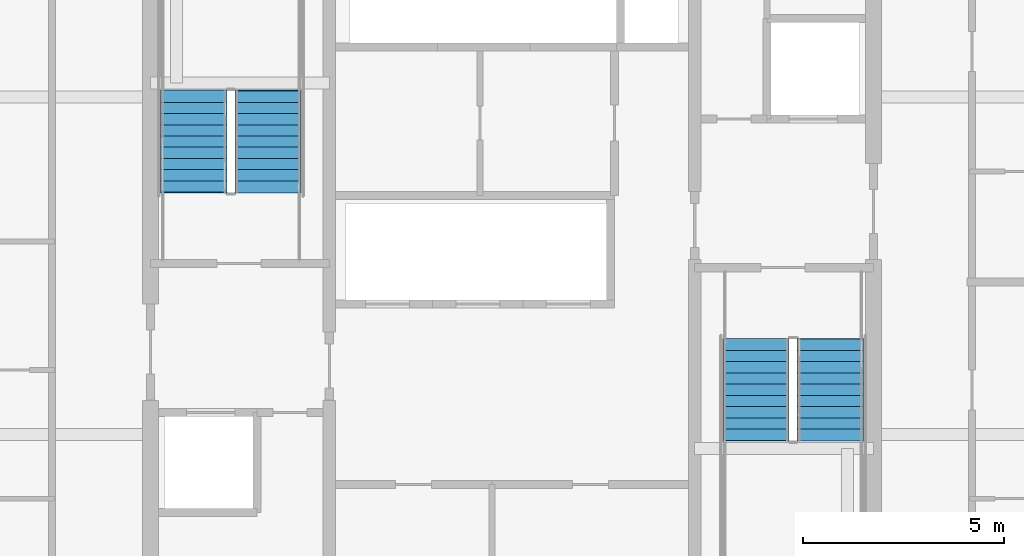
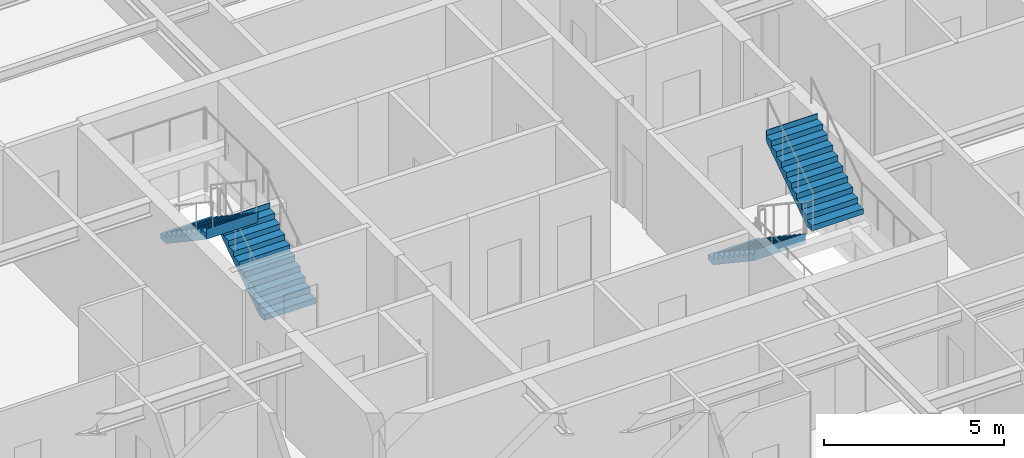
# One storey, part 29 of 34: 4 stair flights, 2 elements without a shape of their own.
"""IFC4 building model written with IfcOpenShell, lengths in metres."""

from ifc_helpers import new_model, si_unit, direction, frame, origin, place, context, subcontext, project, spatial, polygons, material, type_object, element, aggregate, save


model = new_model("IFC4")

# Units and contexts
model_context = context("Model", 3, precision=1e-05, world=origin(), true_north=direction((0.0, 1.0)))
body_context = subcontext(model_context, "Body", "Model", "MODEL_VIEW")
ifc_project = project(units=[si_unit("LENGTHUNIT", "METRE"), si_unit("AREAUNIT", "SQUARE_METRE"), si_unit("VOLUMEUNIT", "CUBIC_METRE"), si_unit("PLANEANGLEUNIT", "RADIAN"), si_unit("MASSUNIT", "GRAM", prefix="KILO")], contexts=[model_context])

# Site, building, storey
site_placement = place(None, origin())
site = spatial("IfcSite", under=ifc_project, at=site_placement, CompositionType="ELEMENT")
building_placement = place(site_placement, origin())
building = spatial("IfcBuilding", under=site, at=building_placement, Name="Serunith Strait Residences", CompositionType="ELEMENT")
storey_placement = place(building_placement, frame((0.0, 0.0, 187.64990234375)))
storey = spatial("IfcBuildingStorey", under=building, at=storey_placement, Name="L47", CompositionType="ELEMENT", Elevation=187.64990234375)

# Stair, stair flights
ifc_material = material(Name="Concrete C50/60", Category="concrete")
stair_type_1 = type_object("IfcStairType", Name="STR-CORE-1", PredefinedType="HALF_TURN_STAIR", material=ifc_material)
stair_1_placement = place(storey_placement, origin())
stair_1 = element("IfcStair", 1, at=stair_1_placement, inside=storey, type_object=stair_type_1, Name="L47 Protected Escape Stair ST-1", PredefinedType="HALF_TURN_STAIR")
stair_flight_type_1 = type_object("IfcStairFlightType", Name="FLT-CORE-1", PredefinedType="STRAIGHT", material=ifc_material)
stair_flight_1_placement = place(storey_placement, frame((26.324951171875, 27.030029296875, 0.0), z_axis=(0.0, 0.0, 1.0), x_axis=(0.0, 1.0, 0.0)))
stair_flight_1 = element("IfcStairFlight", 2, at=stair_flight_1_placement, type_object=stair_flight_type_1, Name="ST-1 flight 1", NumberOfRisers=10, NumberOfTreads=9, PredefinedType="STRAIGHT", RiserHeight=0.1875, TreadLength=0.28, context=body_context, shape_type="Tessellation", body=[
    polygons([(-0.02001953125, -0.824951171875, 0.0), (-0.02001953125, -0.824951171875, 0.1875), (0.280029296875, -0.824951171875, 0.1875), (0.280029296875, -0.824951171875, 0.375), (0.56005859375, -0.824951171875, 0.375), (0.56005859375, -0.824951171875, 0.5625), (0.840087890625, -0.824951171875, 0.5625), (0.840087890625, -0.824951171875, 0.75), (1.1201171875, -0.824951171875, 0.75), (1.1201171875, -0.824951171875, 0.9375), (1.39990234375, -0.824951171875, 0.9375), (1.39990234375, -0.824951171875, 1.125), (1.679931640625, -0.824951171875, 1.125), (1.679931640625, -0.824951171875, 1.3125), (1.9599609375, -0.824951171875, 1.3125), (1.9599609375, -0.824951171875, 1.5), (2.239990234375, -0.824951171875, 1.5), (2.239990234375, -0.824951171875, 1.6875), (2.52001953125, -0.824951171875, 1.6875), (2.52001953125, -0.824951171875, 1.875), (2.5400390625, -0.824951171875, 1.875), (2.5400390625, -0.824951171875, 1.81494140625), (2.52001953125, -0.824951171875, 1.507080078125), (0.26953125, -0.824951171875, 0.0), (-0.02001953125, -0.41259765625, 0.0), (-0.02001953125, -0.41259765625, 0.1875), (0.280029296875, -0.41259765625, 0.1875), (0.280029296875, -0.41259765625, 0.375), (0.56005859375, -0.41259765625, 0.375), (0.56005859375, -0.41259765625, 0.5625), (0.840087890625, -0.41259765625, 0.5625), (0.840087890625, -0.41259765625, 0.75), (1.1201171875, -0.41259765625, 0.75), (1.1201171875, -0.41259765625, 0.9375), (1.39990234375, -0.41259765625, 0.9375), (1.39990234375, -0.41259765625, 1.125), (1.679931640625, -0.41259765625, 1.125), (1.679931640625, -0.41259765625, 1.3125), (1.9599609375, -0.41259765625, 1.3125), (1.9599609375, -0.41259765625, 1.5), (2.239990234375, -0.41259765625, 1.5), (2.239990234375, -0.41259765625, 1.6875), (2.52001953125, -0.41259765625, 1.6875), (2.52001953125, -0.41259765625, 1.875), (2.5400390625, -0.41259765625, 1.875), (2.5400390625, -0.41259765625, 1.81494140625), (2.52001953125, -0.41259765625, 1.507080078125), (0.26953125, -0.41259765625, 0.0), (-0.02001953125, 0.0, 0.0), (-0.02001953125, 0.0, 0.1875), (0.280029296875, 0.0, 0.1875), (0.280029296875, 0.0, 0.375), (0.56005859375, 0.0, 0.375), (0.56005859375, 0.0, 0.5625), (0.840087890625, 0.0, 0.5625), (0.840087890625, 0.0, 0.75), (1.1201171875, 0.0, 0.75), (1.1201171875, 0.0, 0.9375), (1.39990234375, 0.0, 0.9375), (1.39990234375, 0.0, 1.125), (1.679931640625, 0.0, 1.125), (1.679931640625, 0.0, 1.3125), (1.9599609375, 0.0, 1.3125), (1.9599609375, 0.0, 1.5), (2.239990234375, 0.0, 1.5), (2.239990234375, 0.0, 1.6875), (2.52001953125, 0.0, 1.6875), (2.52001953125, 0.0, 1.875), (2.5400390625, 0.0, 1.875), (2.5400390625, 0.0, 1.81494140625), (2.52001953125, 0.0, 1.507080078125), (0.26953125, 0.0, 0.0), (-0.02001953125, 0.41259765625, 0.0), (-0.02001953125, 0.41259765625, 0.1875), (0.280029296875, 0.41259765625, 0.1875), (0.280029296875, 0.41259765625, 0.375), (0.56005859375, 0.41259765625, 0.375), (0.56005859375, 0.41259765625, 0.5625), (0.840087890625, 0.41259765625, 0.5625), (0.840087890625, 0.41259765625, 0.75), (1.1201171875, 0.41259765625, 0.75), (1.1201171875, 0.41259765625, 0.9375), (1.39990234375, 0.41259765625, 0.9375), (1.39990234375, 0.41259765625, 1.125), (1.679931640625, 0.41259765625, 1.125), (1.679931640625, 0.41259765625, 1.3125), (1.9599609375, 0.41259765625, 1.3125), (1.9599609375, 0.41259765625, 1.5), (2.239990234375, 0.41259765625, 1.5), (2.239990234375, 0.41259765625, 1.6875), (2.52001953125, 0.41259765625, 1.6875), (2.52001953125, 0.41259765625, 1.875), (2.5400390625, 0.41259765625, 1.875), (2.5400390625, 0.41259765625, 1.81494140625), (2.52001953125, 0.41259765625, 1.507080078125), (0.26953125, 0.41259765625, 0.0), (-0.02001953125, 0.824951171875, 0.0), (-0.02001953125, 0.824951171875, 0.1875), (0.280029296875, 0.824951171875, 0.1875), (0.280029296875, 0.824951171875, 0.375), (0.56005859375, 0.824951171875, 0.375), (0.56005859375, 0.824951171875, 0.5625), (0.840087890625, 0.824951171875, 0.5625), (0.840087890625, 0.824951171875, 0.75), (1.1201171875, 0.824951171875, 0.75), (1.1201171875, 0.824951171875, 0.9375), (1.39990234375, 0.824951171875, 0.9375), (1.39990234375, 0.824951171875, 1.125), (1.679931640625, 0.824951171875, 1.125), (1.679931640625, 0.824951171875, 1.3125), (1.9599609375, 0.824951171875, 1.3125), (1.9599609375, 0.824951171875, 1.5), (2.239990234375, 0.824951171875, 1.5), (2.239990234375, 0.824951171875, 1.6875), (2.52001953125, 0.824951171875, 1.6875), (2.52001953125, 0.824951171875, 1.875), (2.5400390625, 0.824951171875, 1.875), (2.5400390625, 0.824951171875, 1.81494140625), (2.52001953125, 0.824951171875, 1.507080078125), (0.26953125, 0.824951171875, 0.0)], [[[1, 2, 26, 25]], [[2, 3, 27, 26]], [[3, 4, 28, 27]], [[4, 5, 29, 28]], [[5, 6, 30, 29]], [[6, 7, 31, 30]], [[7, 8, 32, 31]], [[8, 9, 33, 32]], [[9, 10, 34, 33]], [[10, 11, 35, 34]], [[11, 12, 36, 35]], [[12, 13, 37, 36]], [[13, 14, 38, 37]], [[14, 15, 39, 38]], [[15, 16, 40, 39]], [[16, 17, 41, 40]], [[17, 18, 42, 41]], [[18, 19, 43, 42]], [[19, 20, 44, 43]], [[20, 21, 45, 44]], [[21, 22, 46, 45]], [[22, 23, 47, 46]], [[23, 24, 48, 47]], [[24, 1, 25, 48]], [[25, 26, 50, 49]], [[26, 27, 51, 50]], [[27, 28, 52, 51]], [[28, 29, 53, 52]], [[29, 30, 54, 53]], [[30, 31, 55, 54]], [[31, 32, 56, 55]], [[32, 33, 57, 56]], [[33, 34, 58, 57]], [[34, 35, 59, 58]], [[35, 36, 60, 59]], [[36, 37, 61, 60]], [[37, 38, 62, 61]], [[38, 39, 63, 62]], [[39, 40, 64, 63]], [[40, 41, 65, 64]], [[41, 42, 66, 65]], [[42, 43, 67, 66]], [[43, 44, 68, 67]], [[44, 45, 69, 68]], [[45, 46, 70, 69]], [[46, 47, 71, 70]], [[47, 48, 72, 71]], [[48, 25, 49, 72]], [[49, 50, 74, 73]], [[50, 51, 75, 74]], [[51, 52, 76, 75]], [[52, 53, 77, 76]], [[53, 54, 78, 77]], [[54, 55, 79, 78]], [[55, 56, 80, 79]], [[56, 57, 81, 80]], [[57, 58, 82, 81]], [[58, 59, 83, 82]], [[59, 60, 84, 83]], [[60, 61, 85, 84]], [[61, 62, 86, 85]], [[62, 63, 87, 86]], [[63, 64, 88, 87]], [[64, 65, 89, 88]], [[65, 66, 90, 89]], [[66, 67, 91, 90]], [[67, 68, 92, 91]], [[68, 69, 93, 92]], [[69, 70, 94, 93]], [[70, 71, 95, 94]], [[71, 72, 96, 95]], [[72, 49, 73, 96]], [[73, 74, 98, 97]], [[74, 75, 99, 98]], [[75, 76, 100, 99]], [[76, 77, 101, 100]], [[77, 78, 102, 101]], [[78, 79, 103, 102]], [[79, 80, 104, 103]], [[80, 81, 105, 104]], [[81, 82, 106, 105]], [[82, 83, 107, 106]], [[83, 84, 108, 107]], [[84, 85, 109, 108]], [[85, 86, 110, 109]], [[86, 87, 111, 110]], [[87, 88, 112, 111]], [[88, 89, 113, 112]], [[89, 90, 114, 113]], [[90, 91, 115, 114]], [[91, 92, 116, 115]], [[92, 93, 117, 116]], [[93, 94, 118, 117]], [[94, 95, 119, 118]], [[95, 96, 120, 119]], [[96, 73, 97, 120]], [[24, 23, 22, 21, 20, 19, 18, 17, 16, 15, 14, 13, 12, 11, 10, 9, 8, 7, 6, 5, 4, 3, 2, 1]], [[97, 98, 99, 100, 101, 102, 103, 104, 105, 106, 107, 108, 109, 110, 111, 112, 113, 114, 115, 116, 117, 118, 119, 120]]], closed=True),
])
stair_flight_2_placement = place(storey_placement, frame((24.47509765625, 29.550048828125, 1.875), z_axis=(0.0, 0.0, 1.0), x_axis=(0.0, -1.0, 0.0)))
stair_flight_2 = element("IfcStairFlight", 3, at=stair_flight_2_placement, type_object=stair_flight_type_1, Name="ST-1 flight 2", NumberOfRisers=10, NumberOfTreads=9, PredefinedType="STRAIGHT", RiserHeight=0.1875, TreadLength=0.28, context=body_context, shape_type="Tessellation", body=[
    polygons([(-0.02001953125, -0.824951171875, 0.0), (-0.02001953125, -0.824951171875, 0.1875), (0.280029296875, -0.824951171875, 0.1875), (0.280029296875, -0.824951171875, 0.375), (0.56005859375, -0.824951171875, 0.375), (0.56005859375, -0.824951171875, 0.5625), (0.840087890625, -0.824951171875, 0.5625), (0.840087890625, -0.824951171875, 0.75), (1.1201171875, -0.824951171875, 0.75), (1.1201171875, -0.824951171875, 0.9375), (1.39990234375, -0.824951171875, 0.9375), (1.39990234375, -0.824951171875, 1.125), (1.679931640625, -0.824951171875, 1.125), (1.679931640625, -0.824951171875, 1.3125), (1.9599609375, -0.824951171875, 1.3125), (1.9599609375, -0.824951171875, 1.5), (2.239990234375, -0.824951171875, 1.5), (2.239990234375, -0.824951171875, 1.6875), (2.52001953125, -0.824951171875, 1.6875), (2.52001953125, -0.824951171875, 1.875), (2.5400390625, -0.824951171875, 1.875), (2.5400390625, -0.824951171875, 1.81494140625), (2.52001953125, -0.824951171875, 1.507080078125), (0.26953125, -0.824951171875, 0.0), (-0.02001953125, -0.41259765625, 0.0), (-0.02001953125, -0.41259765625, 0.1875), (0.280029296875, -0.41259765625, 0.1875), (0.280029296875, -0.41259765625, 0.375), (0.56005859375, -0.41259765625, 0.375), (0.56005859375, -0.41259765625, 0.5625), (0.840087890625, -0.41259765625, 0.5625), (0.840087890625, -0.41259765625, 0.75), (1.1201171875, -0.41259765625, 0.75), (1.1201171875, -0.41259765625, 0.9375), (1.39990234375, -0.41259765625, 0.9375), (1.39990234375, -0.41259765625, 1.125), (1.679931640625, -0.41259765625, 1.125), (1.679931640625, -0.41259765625, 1.3125), (1.9599609375, -0.41259765625, 1.3125), (1.9599609375, -0.41259765625, 1.5), (2.239990234375, -0.41259765625, 1.5), (2.239990234375, -0.41259765625, 1.6875), (2.52001953125, -0.41259765625, 1.6875), (2.52001953125, -0.41259765625, 1.875), (2.5400390625, -0.41259765625, 1.875), (2.5400390625, -0.41259765625, 1.81494140625), (2.52001953125, -0.41259765625, 1.507080078125), (0.26953125, -0.41259765625, 0.0), (-0.02001953125, 0.0, 0.0), (-0.02001953125, 0.0, 0.1875), (0.280029296875, 0.0, 0.1875), (0.280029296875, 0.0, 0.375), (0.56005859375, 0.0, 0.375), (0.56005859375, 0.0, 0.5625), (0.840087890625, 0.0, 0.5625), (0.840087890625, 0.0, 0.75), (1.1201171875, 0.0, 0.75), (1.1201171875, 0.0, 0.9375), (1.39990234375, 0.0, 0.9375), (1.39990234375, 0.0, 1.125), (1.679931640625, 0.0, 1.125), (1.679931640625, 0.0, 1.3125), (1.9599609375, 0.0, 1.3125), (1.9599609375, 0.0, 1.5), (2.239990234375, 0.0, 1.5), (2.239990234375, 0.0, 1.6875), (2.52001953125, 0.0, 1.6875), (2.52001953125, 0.0, 1.875), (2.5400390625, 0.0, 1.875), (2.5400390625, 0.0, 1.81494140625), (2.52001953125, 0.0, 1.507080078125), (0.26953125, 0.0, 0.0), (-0.02001953125, 0.41259765625, 0.0), (-0.02001953125, 0.41259765625, 0.1875), (0.280029296875, 0.41259765625, 0.1875), (0.280029296875, 0.41259765625, 0.375), (0.56005859375, 0.41259765625, 0.375), (0.56005859375, 0.41259765625, 0.5625), (0.840087890625, 0.41259765625, 0.5625), (0.840087890625, 0.41259765625, 0.75), (1.1201171875, 0.41259765625, 0.75), (1.1201171875, 0.41259765625, 0.9375), (1.39990234375, 0.41259765625, 0.9375), (1.39990234375, 0.41259765625, 1.125), (1.679931640625, 0.41259765625, 1.125), (1.679931640625, 0.41259765625, 1.3125), (1.9599609375, 0.41259765625, 1.3125), (1.9599609375, 0.41259765625, 1.5), (2.239990234375, 0.41259765625, 1.5), (2.239990234375, 0.41259765625, 1.6875), (2.52001953125, 0.41259765625, 1.6875), (2.52001953125, 0.41259765625, 1.875), (2.5400390625, 0.41259765625, 1.875), (2.5400390625, 0.41259765625, 1.81494140625), (2.52001953125, 0.41259765625, 1.507080078125), (0.26953125, 0.41259765625, 0.0), (-0.02001953125, 0.824951171875, 0.0), (-0.02001953125, 0.824951171875, 0.1875), (0.280029296875, 0.824951171875, 0.1875), (0.280029296875, 0.824951171875, 0.375), (0.56005859375, 0.824951171875, 0.375), (0.56005859375, 0.824951171875, 0.5625), (0.840087890625, 0.824951171875, 0.5625), (0.840087890625, 0.824951171875, 0.75), (1.1201171875, 0.824951171875, 0.75), (1.1201171875, 0.824951171875, 0.9375), (1.39990234375, 0.824951171875, 0.9375), (1.39990234375, 0.824951171875, 1.125), (1.679931640625, 0.824951171875, 1.125), (1.679931640625, 0.824951171875, 1.3125), (1.9599609375, 0.824951171875, 1.3125), (1.9599609375, 0.824951171875, 1.5), (2.239990234375, 0.824951171875, 1.5), (2.239990234375, 0.824951171875, 1.6875), (2.52001953125, 0.824951171875, 1.6875), (2.52001953125, 0.824951171875, 1.875), (2.5400390625, 0.824951171875, 1.875), (2.5400390625, 0.824951171875, 1.81494140625), (2.52001953125, 0.824951171875, 1.507080078125), (0.26953125, 0.824951171875, 0.0)], [[[1, 2, 26, 25]], [[2, 3, 27, 26]], [[3, 4, 28, 27]], [[4, 5, 29, 28]], [[5, 6, 30, 29]], [[6, 7, 31, 30]], [[7, 8, 32, 31]], [[8, 9, 33, 32]], [[9, 10, 34, 33]], [[10, 11, 35, 34]], [[11, 12, 36, 35]], [[12, 13, 37, 36]], [[13, 14, 38, 37]], [[14, 15, 39, 38]], [[15, 16, 40, 39]], [[16, 17, 41, 40]], [[17, 18, 42, 41]], [[18, 19, 43, 42]], [[19, 20, 44, 43]], [[20, 21, 45, 44]], [[21, 22, 46, 45]], [[22, 23, 47, 46]], [[23, 24, 48, 47]], [[24, 1, 25, 48]], [[25, 26, 50, 49]], [[26, 27, 51, 50]], [[27, 28, 52, 51]], [[28, 29, 53, 52]], [[29, 30, 54, 53]], [[30, 31, 55, 54]], [[31, 32, 56, 55]], [[32, 33, 57, 56]], [[33, 34, 58, 57]], [[34, 35, 59, 58]], [[35, 36, 60, 59]], [[36, 37, 61, 60]], [[37, 38, 62, 61]], [[38, 39, 63, 62]], [[39, 40, 64, 63]], [[40, 41, 65, 64]], [[41, 42, 66, 65]], [[42, 43, 67, 66]], [[43, 44, 68, 67]], [[44, 45, 69, 68]], [[45, 46, 70, 69]], [[46, 47, 71, 70]], [[47, 48, 72, 71]], [[48, 25, 49, 72]], [[49, 50, 74, 73]], [[50, 51, 75, 74]], [[51, 52, 76, 75]], [[52, 53, 77, 76]], [[53, 54, 78, 77]], [[54, 55, 79, 78]], [[55, 56, 80, 79]], [[56, 57, 81, 80]], [[57, 58, 82, 81]], [[58, 59, 83, 82]], [[59, 60, 84, 83]], [[60, 61, 85, 84]], [[61, 62, 86, 85]], [[62, 63, 87, 86]], [[63, 64, 88, 87]], [[64, 65, 89, 88]], [[65, 66, 90, 89]], [[66, 67, 91, 90]], [[67, 68, 92, 91]], [[68, 69, 93, 92]], [[69, 70, 94, 93]], [[70, 71, 95, 94]], [[71, 72, 96, 95]], [[72, 49, 73, 96]], [[73, 74, 98, 97]], [[74, 75, 99, 98]], [[75, 76, 100, 99]], [[76, 77, 101, 100]], [[77, 78, 102, 101]], [[78, 79, 103, 102]], [[79, 80, 104, 103]], [[80, 81, 105, 104]], [[81, 82, 106, 105]], [[82, 83, 107, 106]], [[83, 84, 108, 107]], [[84, 85, 109, 108]], [[85, 86, 110, 109]], [[86, 87, 111, 110]], [[87, 88, 112, 111]], [[88, 89, 113, 112]], [[89, 90, 114, 113]], [[90, 91, 115, 114]], [[91, 92, 116, 115]], [[92, 93, 117, 116]], [[93, 94, 118, 117]], [[94, 95, 119, 118]], [[95, 96, 120, 119]], [[96, 73, 97, 120]], [[24, 23, 22, 21, 20, 19, 18, 17, 16, 15, 14, 13, 12, 11, 10, 9, 8, 7, 6, 5, 4, 3, 2, 1]], [[97, 98, 99, 100, 101, 102, 103, 104, 105, 106, 107, 108, 109, 110, 111, 112, 113, 114, 115, 116, 117, 118, 119, 120]]], closed=True),
])
aggregate(stair_1, [stair_flight_1, stair_flight_2])

stair_type_2 = type_object("IfcStairType", Name="STR-CORE-2", PredefinedType="HALF_TURN_STAIR", material=ifc_material)
stair_2_placement = place(storey_placement, origin())
stair_2 = element("IfcStair", 4, at=stair_2_placement, inside=storey, type_object=stair_type_2, Name="L47 Protected Escape Stair ST-2", PredefinedType="HALF_TURN_STAIR")
stair_flight_type_2 = type_object("IfcStairFlightType", Name="FLT-CORE-2", PredefinedType="STRAIGHT", material=ifc_material)
stair_flight_3_placement = place(storey_placement, frame((38.47509765625, 23.3701171875, 0.0), z_axis=(0.0, 0.0, 1.0), x_axis=(0.0, -1.0, 0.0)))
stair_flight_3 = element("IfcStairFlight", 5, at=stair_flight_3_placement, type_object=stair_flight_type_2, Name="ST-2 flight 1", NumberOfRisers=10, NumberOfTreads=9, PredefinedType="STRAIGHT", RiserHeight=0.1875, TreadLength=0.28, context=body_context, shape_type="Tessellation", body=[
    polygons([(-0.02001953125, -0.824951171875, 0.0), (-0.02001953125, -0.824951171875, 0.1875), (0.280029296875, -0.824951171875, 0.1875), (0.280029296875, -0.824951171875, 0.375), (0.56005859375, -0.824951171875, 0.375), (0.56005859375, -0.824951171875, 0.5625), (0.840087890625, -0.824951171875, 0.5625), (0.840087890625, -0.824951171875, 0.75), (1.1201171875, -0.824951171875, 0.75), (1.1201171875, -0.824951171875, 0.9375), (1.39990234375, -0.824951171875, 0.9375), (1.39990234375, -0.824951171875, 1.125), (1.679931640625, -0.824951171875, 1.125), (1.679931640625, -0.824951171875, 1.3125), (1.9599609375, -0.824951171875, 1.3125), (1.9599609375, -0.824951171875, 1.5), (2.239990234375, -0.824951171875, 1.5), (2.239990234375, -0.824951171875, 1.6875), (2.52001953125, -0.824951171875, 1.6875), (2.52001953125, -0.824951171875, 1.875), (2.5400390625, -0.824951171875, 1.875), (2.5400390625, -0.824951171875, 1.81494140625), (2.52001953125, -0.824951171875, 1.507080078125), (0.26953125, -0.824951171875, 0.0), (-0.02001953125, -0.41259765625, 0.0), (-0.02001953125, -0.41259765625, 0.1875), (0.280029296875, -0.41259765625, 0.1875), (0.280029296875, -0.41259765625, 0.375), (0.56005859375, -0.41259765625, 0.375), (0.56005859375, -0.41259765625, 0.5625), (0.840087890625, -0.41259765625, 0.5625), (0.840087890625, -0.41259765625, 0.75), (1.1201171875, -0.41259765625, 0.75), (1.1201171875, -0.41259765625, 0.9375), (1.39990234375, -0.41259765625, 0.9375), (1.39990234375, -0.41259765625, 1.125), (1.679931640625, -0.41259765625, 1.125), (1.679931640625, -0.41259765625, 1.3125), (1.9599609375, -0.41259765625, 1.3125), (1.9599609375, -0.41259765625, 1.5), (2.239990234375, -0.41259765625, 1.5), (2.239990234375, -0.41259765625, 1.6875), (2.52001953125, -0.41259765625, 1.6875), (2.52001953125, -0.41259765625, 1.875), (2.5400390625, -0.41259765625, 1.875), (2.5400390625, -0.41259765625, 1.81494140625), (2.52001953125, -0.41259765625, 1.507080078125), (0.26953125, -0.41259765625, 0.0), (-0.02001953125, 0.0, 0.0), (-0.02001953125, 0.0, 0.1875), (0.280029296875, 0.0, 0.1875), (0.280029296875, 0.0, 0.375), (0.56005859375, 0.0, 0.375), (0.56005859375, 0.0, 0.5625), (0.840087890625, 0.0, 0.5625), (0.840087890625, 0.0, 0.75), (1.1201171875, 0.0, 0.75), (1.1201171875, 0.0, 0.9375), (1.39990234375, 0.0, 0.9375), (1.39990234375, 0.0, 1.125), (1.679931640625, 0.0, 1.125), (1.679931640625, 0.0, 1.3125), (1.9599609375, 0.0, 1.3125), (1.9599609375, 0.0, 1.5), (2.239990234375, 0.0, 1.5), (2.239990234375, 0.0, 1.6875), (2.52001953125, 0.0, 1.6875), (2.52001953125, 0.0, 1.875), (2.5400390625, 0.0, 1.875), (2.5400390625, 0.0, 1.81494140625), (2.52001953125, 0.0, 1.507080078125), (0.26953125, 0.0, 0.0), (-0.02001953125, 0.41259765625, 0.0), (-0.02001953125, 0.41259765625, 0.1875), (0.280029296875, 0.41259765625, 0.1875), (0.280029296875, 0.41259765625, 0.375), (0.56005859375, 0.41259765625, 0.375), (0.56005859375, 0.41259765625, 0.5625), (0.840087890625, 0.41259765625, 0.5625), (0.840087890625, 0.41259765625, 0.75), (1.1201171875, 0.41259765625, 0.75), (1.1201171875, 0.41259765625, 0.9375), (1.39990234375, 0.41259765625, 0.9375), (1.39990234375, 0.41259765625, 1.125), (1.679931640625, 0.41259765625, 1.125), (1.679931640625, 0.41259765625, 1.3125), (1.9599609375, 0.41259765625, 1.3125), (1.9599609375, 0.41259765625, 1.5), (2.239990234375, 0.41259765625, 1.5), (2.239990234375, 0.41259765625, 1.6875), (2.52001953125, 0.41259765625, 1.6875), (2.52001953125, 0.41259765625, 1.875), (2.5400390625, 0.41259765625, 1.875), (2.5400390625, 0.41259765625, 1.81494140625), (2.52001953125, 0.41259765625, 1.507080078125), (0.26953125, 0.41259765625, 0.0), (-0.02001953125, 0.824951171875, 0.0), (-0.02001953125, 0.824951171875, 0.1875), (0.280029296875, 0.824951171875, 0.1875), (0.280029296875, 0.824951171875, 0.375), (0.56005859375, 0.824951171875, 0.375), (0.56005859375, 0.824951171875, 0.5625), (0.840087890625, 0.824951171875, 0.5625), (0.840087890625, 0.824951171875, 0.75), (1.1201171875, 0.824951171875, 0.75), (1.1201171875, 0.824951171875, 0.9375), (1.39990234375, 0.824951171875, 0.9375), (1.39990234375, 0.824951171875, 1.125), (1.679931640625, 0.824951171875, 1.125), (1.679931640625, 0.824951171875, 1.3125), (1.9599609375, 0.824951171875, 1.3125), (1.9599609375, 0.824951171875, 1.5), (2.239990234375, 0.824951171875, 1.5), (2.239990234375, 0.824951171875, 1.6875), (2.52001953125, 0.824951171875, 1.6875), (2.52001953125, 0.824951171875, 1.875), (2.5400390625, 0.824951171875, 1.875), (2.5400390625, 0.824951171875, 1.81494140625), (2.52001953125, 0.824951171875, 1.507080078125), (0.26953125, 0.824951171875, 0.0)], [[[1, 2, 26, 25]], [[2, 3, 27, 26]], [[3, 4, 28, 27]], [[4, 5, 29, 28]], [[5, 6, 30, 29]], [[6, 7, 31, 30]], [[7, 8, 32, 31]], [[8, 9, 33, 32]], [[9, 10, 34, 33]], [[10, 11, 35, 34]], [[11, 12, 36, 35]], [[12, 13, 37, 36]], [[13, 14, 38, 37]], [[14, 15, 39, 38]], [[15, 16, 40, 39]], [[16, 17, 41, 40]], [[17, 18, 42, 41]], [[18, 19, 43, 42]], [[19, 20, 44, 43]], [[20, 21, 45, 44]], [[21, 22, 46, 45]], [[22, 23, 47, 46]], [[23, 24, 48, 47]], [[24, 1, 25, 48]], [[25, 26, 50, 49]], [[26, 27, 51, 50]], [[27, 28, 52, 51]], [[28, 29, 53, 52]], [[29, 30, 54, 53]], [[30, 31, 55, 54]], [[31, 32, 56, 55]], [[32, 33, 57, 56]], [[33, 34, 58, 57]], [[34, 35, 59, 58]], [[35, 36, 60, 59]], [[36, 37, 61, 60]], [[37, 38, 62, 61]], [[38, 39, 63, 62]], [[39, 40, 64, 63]], [[40, 41, 65, 64]], [[41, 42, 66, 65]], [[42, 43, 67, 66]], [[43, 44, 68, 67]], [[44, 45, 69, 68]], [[45, 46, 70, 69]], [[46, 47, 71, 70]], [[47, 48, 72, 71]], [[48, 25, 49, 72]], [[49, 50, 74, 73]], [[50, 51, 75, 74]], [[51, 52, 76, 75]], [[52, 53, 77, 76]], [[53, 54, 78, 77]], [[54, 55, 79, 78]], [[55, 56, 80, 79]], [[56, 57, 81, 80]], [[57, 58, 82, 81]], [[58, 59, 83, 82]], [[59, 60, 84, 83]], [[60, 61, 85, 84]], [[61, 62, 86, 85]], [[62, 63, 87, 86]], [[63, 64, 88, 87]], [[64, 65, 89, 88]], [[65, 66, 90, 89]], [[66, 67, 91, 90]], [[67, 68, 92, 91]], [[68, 69, 93, 92]], [[69, 70, 94, 93]], [[70, 71, 95, 94]], [[71, 72, 96, 95]], [[72, 49, 73, 96]], [[73, 74, 98, 97]], [[74, 75, 99, 98]], [[75, 76, 100, 99]], [[76, 77, 101, 100]], [[77, 78, 102, 101]], [[78, 79, 103, 102]], [[79, 80, 104, 103]], [[80, 81, 105, 104]], [[81, 82, 106, 105]], [[82, 83, 107, 106]], [[83, 84, 108, 107]], [[84, 85, 109, 108]], [[85, 86, 110, 109]], [[86, 87, 111, 110]], [[87, 88, 112, 111]], [[88, 89, 113, 112]], [[89, 90, 114, 113]], [[90, 91, 115, 114]], [[91, 92, 116, 115]], [[92, 93, 117, 116]], [[93, 94, 118, 117]], [[94, 95, 119, 118]], [[95, 96, 120, 119]], [[96, 73, 97, 120]], [[24, 23, 22, 21, 20, 19, 18, 17, 16, 15, 14, 13, 12, 11, 10, 9, 8, 7, 6, 5, 4, 3, 2, 1]], [[97, 98, 99, 100, 101, 102, 103, 104, 105, 106, 107, 108, 109, 110, 111, 112, 113, 114, 115, 116, 117, 118, 119, 120]]], closed=True),
])
stair_flight_4_placement = place(storey_placement, frame((40.324951171875, 20.85009765625, 1.875), z_axis=(0.0, 0.0, 1.0), x_axis=(0.0, 1.0, 0.0)))
stair_flight_4 = element("IfcStairFlight", 6, at=stair_flight_4_placement, type_object=stair_flight_type_2, Name="ST-2 flight 2", NumberOfRisers=10, NumberOfTreads=9, PredefinedType="STRAIGHT", RiserHeight=0.1875, TreadLength=0.28, context=body_context, shape_type="Tessellation", body=[
    polygons([(-0.02001953125, -0.824951171875, 0.0), (-0.02001953125, -0.824951171875, 0.1875), (0.280029296875, -0.824951171875, 0.1875), (0.280029296875, -0.824951171875, 0.375), (0.56005859375, -0.824951171875, 0.375), (0.56005859375, -0.824951171875, 0.5625), (0.840087890625, -0.824951171875, 0.5625), (0.840087890625, -0.824951171875, 0.75), (1.1201171875, -0.824951171875, 0.75), (1.1201171875, -0.824951171875, 0.9375), (1.39990234375, -0.824951171875, 0.9375), (1.39990234375, -0.824951171875, 1.125), (1.679931640625, -0.824951171875, 1.125), (1.679931640625, -0.824951171875, 1.3125), (1.9599609375, -0.824951171875, 1.3125), (1.9599609375, -0.824951171875, 1.5), (2.239990234375, -0.824951171875, 1.5), (2.239990234375, -0.824951171875, 1.6875), (2.52001953125, -0.824951171875, 1.6875), (2.52001953125, -0.824951171875, 1.875), (2.5400390625, -0.824951171875, 1.875), (2.5400390625, -0.824951171875, 1.81494140625), (2.52001953125, -0.824951171875, 1.507080078125), (0.26953125, -0.824951171875, 0.0), (-0.02001953125, -0.41259765625, 0.0), (-0.02001953125, -0.41259765625, 0.1875), (0.280029296875, -0.41259765625, 0.1875), (0.280029296875, -0.41259765625, 0.375), (0.56005859375, -0.41259765625, 0.375), (0.56005859375, -0.41259765625, 0.5625), (0.840087890625, -0.41259765625, 0.5625), (0.840087890625, -0.41259765625, 0.75), (1.1201171875, -0.41259765625, 0.75), (1.1201171875, -0.41259765625, 0.9375), (1.39990234375, -0.41259765625, 0.9375), (1.39990234375, -0.41259765625, 1.125), (1.679931640625, -0.41259765625, 1.125), (1.679931640625, -0.41259765625, 1.3125), (1.9599609375, -0.41259765625, 1.3125), (1.9599609375, -0.41259765625, 1.5), (2.239990234375, -0.41259765625, 1.5), (2.239990234375, -0.41259765625, 1.6875), (2.52001953125, -0.41259765625, 1.6875), (2.52001953125, -0.41259765625, 1.875), (2.5400390625, -0.41259765625, 1.875), (2.5400390625, -0.41259765625, 1.81494140625), (2.52001953125, -0.41259765625, 1.507080078125), (0.26953125, -0.41259765625, 0.0), (-0.02001953125, 0.0, 0.0), (-0.02001953125, 0.0, 0.1875), (0.280029296875, 0.0, 0.1875), (0.280029296875, 0.0, 0.375), (0.56005859375, 0.0, 0.375), (0.56005859375, 0.0, 0.5625), (0.840087890625, 0.0, 0.5625), (0.840087890625, 0.0, 0.75), (1.1201171875, 0.0, 0.75), (1.1201171875, 0.0, 0.9375), (1.39990234375, 0.0, 0.9375), (1.39990234375, 0.0, 1.125), (1.679931640625, 0.0, 1.125), (1.679931640625, 0.0, 1.3125), (1.9599609375, 0.0, 1.3125), (1.9599609375, 0.0, 1.5), (2.239990234375, 0.0, 1.5), (2.239990234375, 0.0, 1.6875), (2.52001953125, 0.0, 1.6875), (2.52001953125, 0.0, 1.875), (2.5400390625, 0.0, 1.875), (2.5400390625, 0.0, 1.81494140625), (2.52001953125, 0.0, 1.507080078125), (0.26953125, 0.0, 0.0), (-0.02001953125, 0.41259765625, 0.0), (-0.02001953125, 0.41259765625, 0.1875), (0.280029296875, 0.41259765625, 0.1875), (0.280029296875, 0.41259765625, 0.375), (0.56005859375, 0.41259765625, 0.375), (0.56005859375, 0.41259765625, 0.5625), (0.840087890625, 0.41259765625, 0.5625), (0.840087890625, 0.41259765625, 0.75), (1.1201171875, 0.41259765625, 0.75), (1.1201171875, 0.41259765625, 0.9375), (1.39990234375, 0.41259765625, 0.9375), (1.39990234375, 0.41259765625, 1.125), (1.679931640625, 0.41259765625, 1.125), (1.679931640625, 0.41259765625, 1.3125), (1.9599609375, 0.41259765625, 1.3125), (1.9599609375, 0.41259765625, 1.5), (2.239990234375, 0.41259765625, 1.5), (2.239990234375, 0.41259765625, 1.6875), (2.52001953125, 0.41259765625, 1.6875), (2.52001953125, 0.41259765625, 1.875), (2.5400390625, 0.41259765625, 1.875), (2.5400390625, 0.41259765625, 1.81494140625), (2.52001953125, 0.41259765625, 1.507080078125), (0.26953125, 0.41259765625, 0.0), (-0.02001953125, 0.824951171875, 0.0), (-0.02001953125, 0.824951171875, 0.1875), (0.280029296875, 0.824951171875, 0.1875), (0.280029296875, 0.824951171875, 0.375), (0.56005859375, 0.824951171875, 0.375), (0.56005859375, 0.824951171875, 0.5625), (0.840087890625, 0.824951171875, 0.5625), (0.840087890625, 0.824951171875, 0.75), (1.1201171875, 0.824951171875, 0.75), (1.1201171875, 0.824951171875, 0.9375), (1.39990234375, 0.824951171875, 0.9375), (1.39990234375, 0.824951171875, 1.125), (1.679931640625, 0.824951171875, 1.125), (1.679931640625, 0.824951171875, 1.3125), (1.9599609375, 0.824951171875, 1.3125), (1.9599609375, 0.824951171875, 1.5), (2.239990234375, 0.824951171875, 1.5), (2.239990234375, 0.824951171875, 1.6875), (2.52001953125, 0.824951171875, 1.6875), (2.52001953125, 0.824951171875, 1.875), (2.5400390625, 0.824951171875, 1.875), (2.5400390625, 0.824951171875, 1.81494140625), (2.52001953125, 0.824951171875, 1.507080078125), (0.26953125, 0.824951171875, 0.0)], [[[1, 2, 26, 25]], [[2, 3, 27, 26]], [[3, 4, 28, 27]], [[4, 5, 29, 28]], [[5, 6, 30, 29]], [[6, 7, 31, 30]], [[7, 8, 32, 31]], [[8, 9, 33, 32]], [[9, 10, 34, 33]], [[10, 11, 35, 34]], [[11, 12, 36, 35]], [[12, 13, 37, 36]], [[13, 14, 38, 37]], [[14, 15, 39, 38]], [[15, 16, 40, 39]], [[16, 17, 41, 40]], [[17, 18, 42, 41]], [[18, 19, 43, 42]], [[19, 20, 44, 43]], [[20, 21, 45, 44]], [[21, 22, 46, 45]], [[22, 23, 47, 46]], [[23, 24, 48, 47]], [[24, 1, 25, 48]], [[25, 26, 50, 49]], [[26, 27, 51, 50]], [[27, 28, 52, 51]], [[28, 29, 53, 52]], [[29, 30, 54, 53]], [[30, 31, 55, 54]], [[31, 32, 56, 55]], [[32, 33, 57, 56]], [[33, 34, 58, 57]], [[34, 35, 59, 58]], [[35, 36, 60, 59]], [[36, 37, 61, 60]], [[37, 38, 62, 61]], [[38, 39, 63, 62]], [[39, 40, 64, 63]], [[40, 41, 65, 64]], [[41, 42, 66, 65]], [[42, 43, 67, 66]], [[43, 44, 68, 67]], [[44, 45, 69, 68]], [[45, 46, 70, 69]], [[46, 47, 71, 70]], [[47, 48, 72, 71]], [[48, 25, 49, 72]], [[49, 50, 74, 73]], [[50, 51, 75, 74]], [[51, 52, 76, 75]], [[52, 53, 77, 76]], [[53, 54, 78, 77]], [[54, 55, 79, 78]], [[55, 56, 80, 79]], [[56, 57, 81, 80]], [[57, 58, 82, 81]], [[58, 59, 83, 82]], [[59, 60, 84, 83]], [[60, 61, 85, 84]], [[61, 62, 86, 85]], [[62, 63, 87, 86]], [[63, 64, 88, 87]], [[64, 65, 89, 88]], [[65, 66, 90, 89]], [[66, 67, 91, 90]], [[67, 68, 92, 91]], [[68, 69, 93, 92]], [[69, 70, 94, 93]], [[70, 71, 95, 94]], [[71, 72, 96, 95]], [[72, 49, 73, 96]], [[73, 74, 98, 97]], [[74, 75, 99, 98]], [[75, 76, 100, 99]], [[76, 77, 101, 100]], [[77, 78, 102, 101]], [[78, 79, 103, 102]], [[79, 80, 104, 103]], [[80, 81, 105, 104]], [[81, 82, 106, 105]], [[82, 83, 107, 106]], [[83, 84, 108, 107]], [[84, 85, 109, 108]], [[85, 86, 110, 109]], [[86, 87, 111, 110]], [[87, 88, 112, 111]], [[88, 89, 113, 112]], [[89, 90, 114, 113]], [[90, 91, 115, 114]], [[91, 92, 116, 115]], [[92, 93, 117, 116]], [[93, 94, 118, 117]], [[94, 95, 119, 118]], [[95, 96, 120, 119]], [[96, 73, 97, 120]], [[24, 23, 22, 21, 20, 19, 18, 17, 16, 15, 14, 13, 12, 11, 10, 9, 8, 7, 6, 5, 4, 3, 2, 1]], [[97, 98, 99, 100, 101, 102, 103, 104, 105, 106, 107, 108, 109, 110, 111, 112, 113, 114, 115, 116, 117, 118, 119, 120]]], closed=True),
])
aggregate(stair_2, [stair_flight_3, stair_flight_4])

save(model, "model.ifc")
